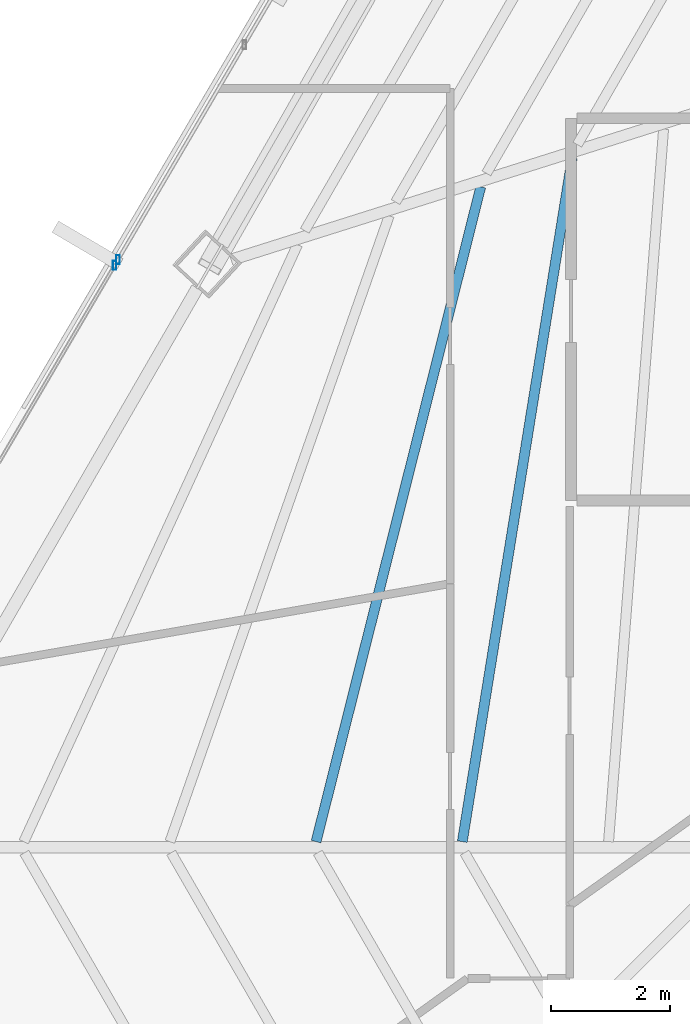
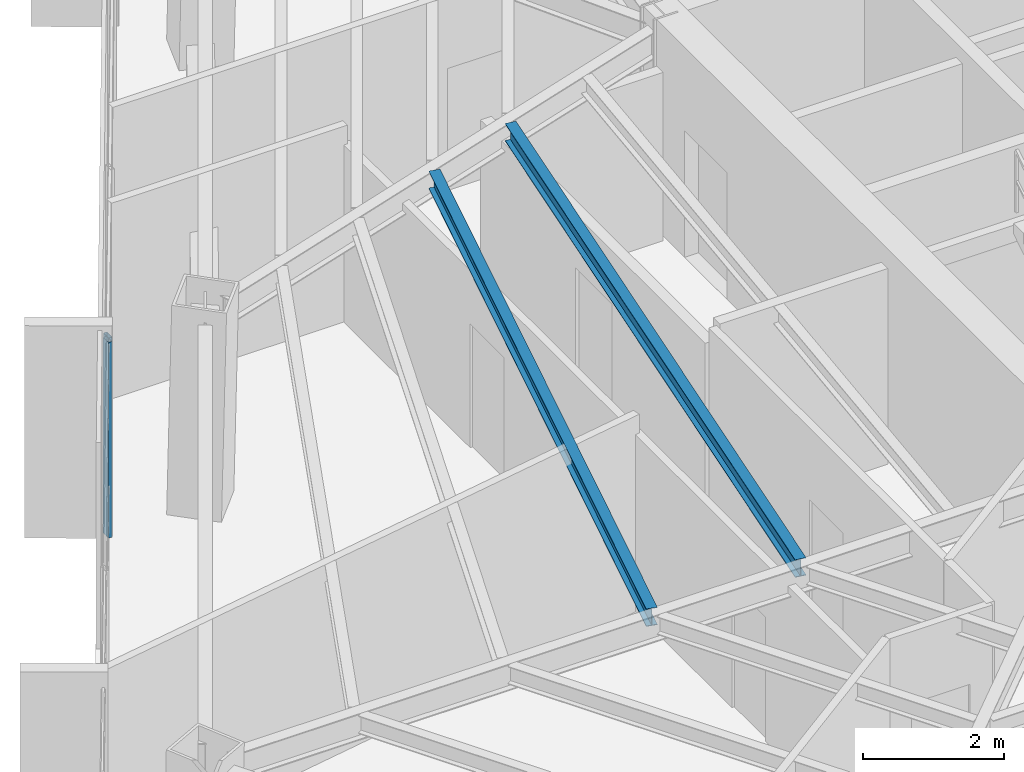
# One storey, part 14 of 42: 2 beams, 2 members, 2 elements without a shape of their own.
"""IFC4 building model written with IfcOpenShell, lengths in metres."""

from ifc_helpers import new_model, si_unit, direction, frame, origin, origin_2d, place, context, subcontext, project, spatial, hollow_rectangle, i_section, extrude, source, transform, mapped, material, material_profile, profile_set, type_object, type_shapes, element, aggregate, save


model = new_model("IFC4")

# Units and contexts
model_context = context("Model", 3, precision=1e-05, world=origin(), true_north=direction((0.0, 1.0)))
body_context = subcontext(model_context, "Body", "Model", "MODEL_VIEW")
ifc_project = project(units=[si_unit("LENGTHUNIT", "METRE"), si_unit("AREAUNIT", "SQUARE_METRE"), si_unit("VOLUMEUNIT", "CUBIC_METRE"), si_unit("PLANEANGLEUNIT", "RADIAN"), si_unit("MASSUNIT", "GRAM", prefix="KILO")], contexts=[model_context])

# Site, building, storey
site_placement = place(None, origin())
site = spatial("IfcSite", under=ifc_project, at=site_placement, CompositionType="ELEMENT")
building_placement = place(site_placement, origin())
building = spatial("IfcBuilding", under=site, at=building_placement, Name="Caelisora Broadcast Tower", CompositionType="ELEMENT")
storey_placement = place(building_placement, frame((0.0, 0.0, 187.699951171875)))
storey = spatial("IfcBuildingStorey", under=building, at=storey_placement, Name="L49", CompositionType="ELEMENT", Elevation=187.699951171875)

# Beams
ifc_material_1 = material(Name="Steel Grade 350 (AS/NZS 3679.1)", Category="steel")
ifc_material_profile_1 = material_profile(ifc_material_1, i_section(OverallWidth=0.166015625, OverallDepth=0.30712890625, WebThickness=0.006591796875, FlangeThickness=0.01171875, at=origin_2d()), Name="Steel Grade 350 (AS/NZS 3679.1)")
ifc_profile_set_1 = profile_set([ifc_material_profile_1], Name="Steel Grade 350 (AS/NZS 3679.1)")
beam_type = type_object("IfcBeamType", Name="SB03", PredefinedType="JOIST", material=ifc_profile_set_1)
shared_shape_1 = source(origin(), body_context, "Body", "SweptSolid", [
    extrude(i_section(OverallWidth=0.166015625, OverallDepth=0.30712890625, WebThickness=0.006591796875, FlangeThickness=0.01171875, at=origin_2d()), origin(), (0.0, 0.0, 1.0), 11.59228515625),
])
beam_1_placement = place(storey_placement, frame((27.44189453125, 28.9365234375, 3.246337890625), z_axis=(-0.158692759986, -0.987328014354, 0.0), x_axis=(0.987328014354, -0.158692759986, 0.0)))
element("IfcBeam", 1, at=beam_1_placement, inside=storey, type_object=beam_type, Name="L49 beam SB03", PredefinedType="JOIST", context=body_context, shape_type="MappedRepresentation", body=[
    mapped(shared_shape_1, transform((0.0, 0.0, 0.0), scale=1.0)),
])
shared_shape_2 = source(origin(), body_context, "Body", "SweptSolid", [
    extrude(i_section(OverallWidth=0.166015625, OverallDepth=0.30712890625, WebThickness=0.006591796875, FlangeThickness=0.01171875, at=origin_2d()), origin(), (0.0, 0.0, 1.0), 11.303466796875),
])
type_shapes(beam_type, [shared_shape_1, shared_shape_2])
beam_2_placement = place(storey_placement, frame((25.910888671875, 28.452880859375, 3.246337890625), z_axis=(-0.24385166463, -0.969812541503, 0.0), x_axis=(0.969812541503, -0.24385166463, 0.0)))
element("IfcBeam", 2, at=beam_2_placement, inside=storey, type_object=beam_type, Name="L49 beam SB03", PredefinedType="JOIST", context=body_context, shape_type="MappedRepresentation", body=[
    mapped(shared_shape_2, transform((0.0, 0.0, 0.0), scale=1.0)),
])

# Curtain wall, member
ifc_material_2 = material(Name="Unitised Aluminium and Low-E Glass Curtain Wall", Category="glass")
curtain_wall_type_1 = type_object("IfcCurtainWallType", Name="CW-Z4", PredefinedType="NOTDEFINED", material=ifc_material_2)
curtain_wall_1_placement = place(storey_placement, origin())
curtain_wall_1 = element("IfcCurtainWall", 3, at=curtain_wall_1_placement, inside=storey, type_object=curtain_wall_type_1, Name="L49 curtain wall CW-Z4", PredefinedType="NOTDEFINED")
ifc_material_3 = material(Name="Aluminium 6063-T6 Anodised Terracotta Bronze", Category="aluminium")
ifc_material_profile_2 = material_profile(ifc_material_3, hollow_rectangle(XDim=0.06005859375, YDim=0.14990234375, WallThickness=0.00341796875, at=origin_2d()), Name="Aluminium 6063-T6 Anodised Terracotta Bronze")
ifc_profile_set_2 = profile_set([ifc_material_profile_2], Name="Aluminium 6063-T6 Anodised Terracotta Bronze")
member_type = type_object("IfcMemberType", Name="CWM-03", PredefinedType="MULLION", material=ifc_profile_set_2)
shared_shape_3 = source(origin(), body_context, "Body", "SweptSolid", [
    extrude(hollow_rectangle(XDim=0.06005859375, YDim=0.14990234375, WallThickness=0.00341796875, at=origin_2d()), origin(), (0.0, 0.0, 1.0), 3.400146484375),
])
type_shapes(member_type, [shared_shape_3])
member_1_placement = place(storey_placement, frame((19.781982421875, 27.1376953125, 0.0), z_axis=(0.0, 0.0, 1.0), x_axis=(1.0, 0.0, 0.0)))
member_1 = element("IfcMember", 4, at=member_1_placement, type_object=member_type, Name="L49-CW-B09 mullion #3", PredefinedType="MULLION", context=body_context, shape_type="MappedRepresentation", body=[
    mapped(shared_shape_3, transform((0.0, 0.0, 0.0), scale=1.0)),
])
aggregate(curtain_wall_1, [member_1])

ifc_material_4 = material(Name="Unitised Aluminium Insulated Shadow-Box Spandrel Curtain Wall", Category="aluminium")
curtain_wall_type_2 = type_object("IfcCurtainWallType", Name="CW-SP2", PredefinedType="NOTDEFINED", material=ifc_material_4)
curtain_wall_2_placement = place(storey_placement, origin())
curtain_wall_2 = element("IfcCurtainWall", 5, at=curtain_wall_2_placement, inside=storey, type_object=curtain_wall_type_2, Name="L49 curtain wall CW-SP2", PredefinedType="NOTDEFINED")
member_2_placement = place(storey_placement, frame((19.837890625, 27.232666015625, 0.0), z_axis=(0.0, 0.0, 1.0), x_axis=(1.0, 0.0, 0.0)))
member_2 = element("IfcMember", 6, at=member_2_placement, type_object=member_type, Name="L49-CW-B10 mullion #0", PredefinedType="MULLION", context=body_context, shape_type="MappedRepresentation", body=[
    mapped(shared_shape_3, transform((0.0, 0.0, 0.0), scale=1.0)),
])
aggregate(curtain_wall_2, [member_2])

save(model, "model.ifc")
